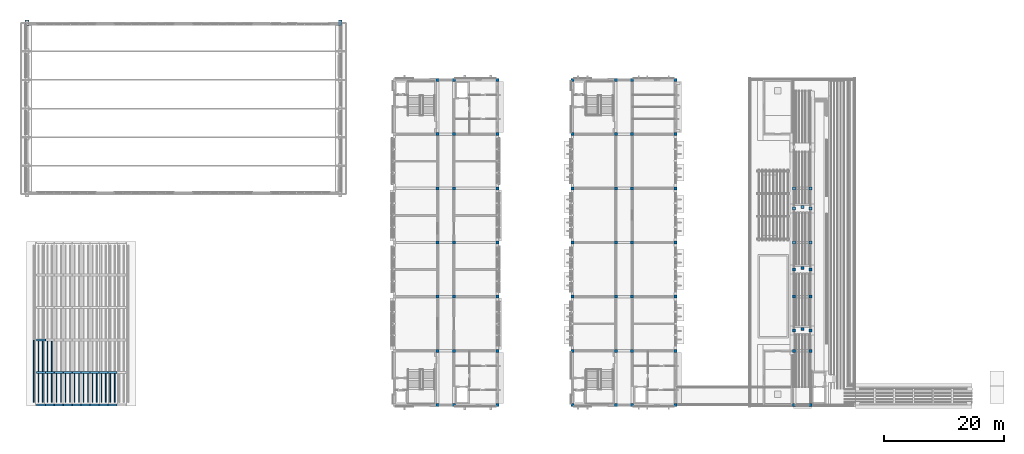
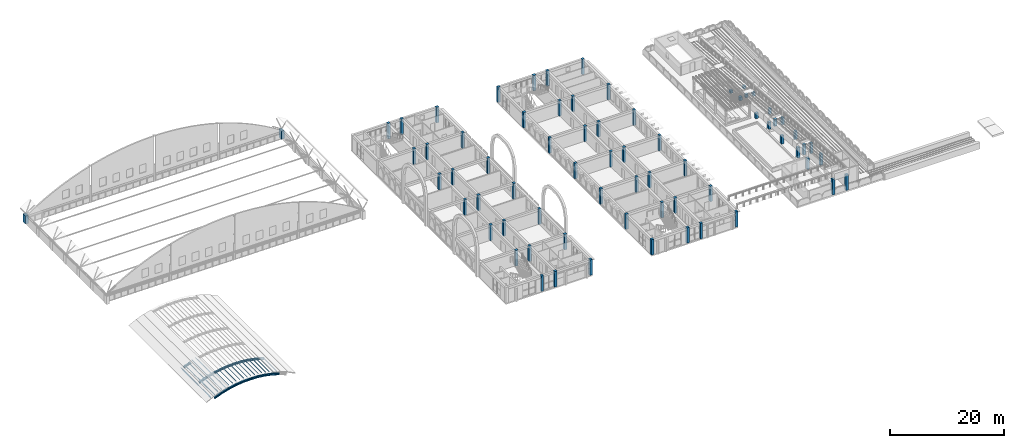
# One storey, part 4 of 65: 70 columns, 43 members.
"""IFC4 building model written with IfcOpenShell, lengths in metres."""

from ifc_helpers import new_model, si_unit, direction, frame, origin, origin_2d, place, context, subcontext, project, spatial, rectangle, hollow_rectangle, i_section, extrude, material, material_profile, profile_set, type_object, element, save


model = new_model("IFC4")

# Units and contexts
model_context = context("Model", 3, precision=1e-05, world=origin(), true_north=direction((0.0, 1.0)))
body_context = subcontext(model_context, "Body", "Model", "MODEL_VIEW")
ifc_project = project(units=[si_unit("LENGTHUNIT", "METRE"), si_unit("AREAUNIT", "SQUARE_METRE"), si_unit("VOLUMEUNIT", "CUBIC_METRE"), si_unit("PLANEANGLEUNIT", "RADIAN"), si_unit("MASSUNIT", "GRAM", prefix="KILO")], contexts=[model_context])

# Site, building, storey
site_placement = place(None, origin())
site = spatial("IfcSite", under=ifc_project, at=site_placement, CompositionType="ELEMENT")
building_placement = place(site_placement, origin())
building = spatial("IfcBuilding", under=site, at=building_placement, Name="Elbe Cascade School", CompositionType="ELEMENT")
storey_placement = place(building_placement, frame((0.0, 0.0, 11.699951171875)))
storey = spatial("IfcBuildingStorey", under=building, at=storey_placement, Name="L03", CompositionType="ELEMENT", Elevation=11.699951171875)

# Columns
ifc_material_1 = material(Name="Concrete C30/37", Category="concrete")
ifc_material_profile_1 = material_profile(ifc_material_1, rectangle(XDim=0.60009765625, YDim=0.89990234375, at=origin_2d()), Name="RC 600x900")
ifc_profile_set_1 = profile_set([ifc_material_profile_1], Name="Concrete C30/37")
column_type_1 = type_object("IfcColumnType", Name="Hall pilaster RC 600x900", PredefinedType="COLUMN", material=ifc_profile_set_1)
for number, where, z_axis, x_axis, name in (
    (1, (8.0, 69.5, 0.0), (0.0, 0.0, 1.0), (1.0, 0.0, 0.0), "Pilaster W7"),
    (2, (60.0, 69.5, 0.0), (0.0, 0.0, 1.0), (1.0, 0.0, 0.0), "Pilaster E7"),
):
    element("IfcColumn", number, at=place(storey_placement, frame(where, z_axis=z_axis, x_axis=x_axis)), inside=storey, type_object=column_type_1, Name=name, PredefinedType="COLUMN", context=body_context, shape_type="SweptSolid", body=[
        extrude(rectangle(XDim=0.60009765625, YDim=0.89990234375, at=origin_2d()), origin(), (0.0, 0.0, 1.0), 1.75),
    ])
ifc_material_2 = material(Name="Concrete C30/37", Category="concrete")
ifc_material_profile_2 = material_profile(ifc_material_2, rectangle(XDim=0.5, YDim=0.5, at=origin_2d()), Name="RC 500x500")
ifc_profile_set_2 = profile_set([ifc_material_profile_2], Name="Concrete C30/37")
column_type_2 = type_object("IfcColumnType", Name="RC 500x500 column", PredefinedType="COLUMN", material=ifc_profile_set_2)
for number, where, z_axis, x_axis, name in (
    (3, (76.199951171875, 6.0, 0.0), (0.0, 0.0, 1.0), (1.0, 0.0, 0.0), "RC 500x500 column C1"),
    (4, (76.199951171875, 15.0, 0.0), (0.0, 0.0, 1.0), (1.0, 0.0, 0.0), "RC 500x500 column C1"),
    (5, (76.199951171875, 24.0, 0.0), (0.0, 0.0, 1.0), (1.0, 0.0, 0.0), "RC 500x500 column C1"),
    (6, (76.199951171875, 33.0, 0.0), (0.0, 0.0, 1.0), (1.0, 0.0, 0.0), "RC 500x500 column C1"),
    (7, (76.199951171875, 42.0, 0.0), (0.0, 0.0, 1.0), (1.0, 0.0, 0.0), "RC 500x500 column C1"),
    (8, (76.199951171875, 51.0, 0.0), (0.0, 0.0, 1.0), (1.0, 0.0, 0.0), "RC 500x500 column C1"),
    (9, (76.199951171875, 60.0, 0.0), (0.0, 0.0, 1.0), (1.0, 0.0, 0.0), "RC 500x500 column C1"),
    (10, (78.89990234375, 6.0, 0.0), (0.0, 0.0, 1.0), (1.0, 0.0, 0.0), "RC 500x500 column C1"),
    (11, (78.89990234375, 15.0, 0.0), (0.0, 0.0, 1.0), (1.0, 0.0, 0.0), "RC 500x500 column C1"),
    (12, (78.89990234375, 24.0, 0.0), (0.0, 0.0, 1.0), (1.0, 0.0, 0.0), "RC 500x500 column C1"),
    (13, (78.89990234375, 33.0, 0.0), (0.0, 0.0, 1.0), (1.0, 0.0, 0.0), "RC 500x500 column C1"),
    (14, (78.89990234375, 42.0, 0.0), (0.0, 0.0, 1.0), (1.0, 0.0, 0.0), "RC 500x500 column C1"),
    (15, (78.89990234375, 51.0, 0.0), (0.0, 0.0, 1.0), (1.0, 0.0, 0.0), "RC 500x500 column C1"),
    (16, (78.89990234375, 60.0, 0.0), (0.0, 0.0, 1.0), (1.0, 0.0, 0.0), "RC 500x500 column C1"),
    (17, (86.10009765625, 6.0, 0.0), (0.0, 0.0, 1.0), (1.0, 0.0, 0.0), "RC 500x500 column C1"),
    (18, (86.10009765625, 15.0, 0.0), (0.0, 0.0, 1.0), (1.0, 0.0, 0.0), "RC 500x500 column C1"),
    (19, (86.10009765625, 24.0, 0.0), (0.0, 0.0, 1.0), (1.0, 0.0, 0.0), "RC 500x500 column C1"),
    (20, (86.10009765625, 33.0, 0.0), (0.0, 0.0, 1.0), (1.0, 0.0, 0.0), "RC 500x500 column C1"),
    (21, (86.10009765625, 42.0, 0.0), (0.0, 0.0, 1.0), (1.0, 0.0, 0.0), "RC 500x500 column C1"),
    (22, (86.10009765625, 51.0, 0.0), (0.0, 0.0, 1.0), (1.0, 0.0, 0.0), "RC 500x500 column C1"),
    (23, (86.10009765625, 60.0, 0.0), (0.0, 0.0, 1.0), (1.0, 0.0, 0.0), "RC 500x500 column C1"),
):
    element("IfcColumn", number, at=place(storey_placement, frame(where, z_axis=z_axis, x_axis=x_axis)), inside=storey, type_object=column_type_2, Name=name, PredefinedType="COLUMN", context=body_context, shape_type="SweptSolid", body=[
        extrude(rectangle(XDim=0.5, YDim=0.5, at=origin_2d()), origin(), (0.0, 0.0, 1.0), 3.35009765625),
    ])
for number, where, z_axis, x_axis, name in (
    (24, (98.60009765625, 6.0, 0.0), (0.0, 0.0, 1.0), (1.0, 0.0, 0.0), "RC 500x500 column C1"),
    (25, (98.60009765625, 15.0, 0.0), (0.0, 0.0, 1.0), (1.0, 0.0, 0.0), "RC 500x500 column C1"),
    (26, (98.60009765625, 24.0, 0.0), (0.0, 0.0, 1.0), (1.0, 0.0, 0.0), "RC 500x500 column C1"),
    (27, (98.60009765625, 33.0, 0.0), (0.0, 0.0, 1.0), (1.0, 0.0, 0.0), "RC 500x500 column C1"),
    (28, (98.60009765625, 42.0, 0.0), (0.0, 0.0, 1.0), (1.0, 0.0, 0.0), "RC 500x500 column C1"),
    (29, (98.60009765625, 51.0, 0.0), (0.0, 0.0, 1.0), (1.0, 0.0, 0.0), "RC 500x500 column C1"),
    (30, (98.60009765625, 60.0, 0.0), (0.0, 0.0, 1.0), (1.0, 0.0, 0.0), "RC 500x500 column C1"),
    (31, (105.800048828125, 6.0, 0.0), (0.0, 0.0, 1.0), (1.0, 0.0, 0.0), "RC 500x500 column C1"),
    (32, (105.800048828125, 15.0, 0.0), (0.0, 0.0, 1.0), (1.0, 0.0, 0.0), "RC 500x500 column C1"),
    (33, (105.800048828125, 24.0, 0.0), (0.0, 0.0, 1.0), (1.0, 0.0, 0.0), "RC 500x500 column C1"),
    (34, (105.800048828125, 33.0, 0.0), (0.0, 0.0, 1.0), (1.0, 0.0, 0.0), "RC 500x500 column C1"),
    (35, (105.800048828125, 42.0, 0.0), (0.0, 0.0, 1.0), (1.0, 0.0, 0.0), "RC 500x500 column C1"),
    (36, (105.800048828125, 51.0, 0.0), (0.0, 0.0, 1.0), (1.0, 0.0, 0.0), "RC 500x500 column C1"),
    (37, (105.800048828125, 60.0, 0.0), (0.0, 0.0, 1.0), (1.0, 0.0, 0.0), "RC 500x500 column C1"),
    (38, (108.5, 6.0, 0.0), (0.0, 0.0, 1.0), (1.0, 0.0, 0.0), "RC 500x500 column C1"),
    (39, (108.5, 15.0, 0.0), (0.0, 0.0, 1.0), (1.0, 0.0, 0.0), "RC 500x500 column C1"),
    (40, (108.5, 24.0, 0.0), (0.0, 0.0, 1.0), (1.0, 0.0, 0.0), "RC 500x500 column C1"),
    (41, (108.5, 33.0, 0.0), (0.0, 0.0, 1.0), (1.0, 0.0, 0.0), "RC 500x500 column C1"),
    (42, (108.5, 42.0, 0.0), (0.0, 0.0, 1.0), (1.0, 0.0, 0.0), "RC 500x500 column C1"),
    (43, (108.5, 51.0, 0.0), (0.0, 0.0, 1.0), (1.0, 0.0, 0.0), "RC 500x500 column C1"),
    (44, (108.5, 60.0, 0.0), (0.0, 0.0, 1.0), (1.0, 0.0, 0.0), "RC 500x500 column C1"),
    (45, (115.699951171875, 6.0, 0.0), (0.0, 0.0, 1.0), (1.0, 0.0, 0.0), "RC 500x500 column C1"),
    (46, (115.699951171875, 15.0, 0.0), (0.0, 0.0, 1.0), (1.0, 0.0, 0.0), "RC 500x500 column C1"),
    (47, (115.699951171875, 24.0, 0.0), (0.0, 0.0, 1.0), (1.0, 0.0, 0.0), "RC 500x500 column C1"),
    (48, (115.699951171875, 33.0, 0.0), (0.0, 0.0, 1.0), (1.0, 0.0, 0.0), "RC 500x500 column C1"),
    (49, (115.699951171875, 42.0, 0.0), (0.0, 0.0, 1.0), (1.0, 0.0, 0.0), "RC 500x500 column C1"),
    (50, (115.699951171875, 51.0, 0.0), (0.0, 0.0, 1.0), (1.0, 0.0, 0.0), "RC 500x500 column C1"),
    (51, (115.699951171875, 60.0, 0.0), (0.0, 0.0, 1.0), (1.0, 0.0, 0.0), "RC 500x500 column C1"),
):
    element("IfcColumn", number, at=place(storey_placement, frame(where, z_axis=z_axis, x_axis=x_axis)), inside=storey, type_object=column_type_2, Name=name, PredefinedType="COLUMN", context=body_context, shape_type="SweptSolid", body=[
        extrude(rectangle(XDim=0.5, YDim=0.5, at=origin_2d()), origin(), (0.0, 0.0, 1.0), 3.300048828125),
    ])
for number, where, z_axis, x_axis, name in (
    (52, (135.39990234375, 6.0, 0.0), (0.0, 0.0, 1.0), (1.0, 0.0, 0.0), "RC 500x500 column C1"),
    (53, (138.10009765625, 6.0, 0.0), (0.0, 0.0, 1.0), (1.0, 0.0, 0.0), "RC 500x500 column C1"),
):
    element("IfcColumn", number, at=place(storey_placement, frame(where, z_axis=z_axis, x_axis=x_axis)), inside=storey, type_object=column_type_2, Name=name, PredefinedType="COLUMN", context=body_context, shape_type="SweptSolid", body=[
        extrude(rectangle(XDim=0.5, YDim=0.5, at=origin_2d()), origin(), (0.0, 0.0, 1.0), 3.360107421875),
    ])
for number, where, z_axis, x_axis, name in (
    (54, (135.39990234375, 15.0, 0.0), (0.0, 0.0, 1.0), (1.0, 0.0, 0.0), "RC 500x500 column C1"),
    (55, (138.10009765625, 15.0, 0.0), (0.0, 0.0, 1.0), (1.0, 0.0, 0.0), "RC 500x500 column C1"),
):
    element("IfcColumn", number, at=place(storey_placement, frame(where, z_axis=z_axis, x_axis=x_axis)), inside=storey, type_object=column_type_2, Name=name, PredefinedType="COLUMN", context=body_context, shape_type="SweptSolid", body=[
        extrude(rectangle(XDim=0.5, YDim=0.5, at=origin_2d()), origin(), (0.0, 0.0, 1.0), 2.41015625),
    ])
for number, where, z_axis, x_axis, name in (
    (56, (135.39990234375, 24.0, 0.0), (0.0, 0.0, 1.0), (1.0, 0.0, 0.0), "RC 500x500 column C1"),
    (57, (138.10009765625, 24.0, 0.0), (0.0, 0.0, 1.0), (1.0, 0.0, 0.0), "RC 500x500 column C1"),
):
    element("IfcColumn", number, at=place(storey_placement, frame(where, z_axis=z_axis, x_axis=x_axis)), inside=storey, type_object=column_type_2, Name=name, PredefinedType="COLUMN", context=body_context, shape_type="SweptSolid", body=[
        extrude(rectangle(XDim=0.5, YDim=0.5, at=origin_2d()), origin(), (0.0, 0.0, 1.0), 1.78515625),
    ])
for number, where, z_axis, x_axis, name in (
    (58, (135.39990234375, 33.0, 0.0), (0.0, 0.0, 1.0), (1.0, 0.0, 0.0), "RC 500x500 column C1"),
    (59, (138.10009765625, 33.0, 0.0), (0.0, 0.0, 1.0), (1.0, 0.0, 0.0), "RC 500x500 column C1"),
):
    element("IfcColumn", number, at=place(storey_placement, frame(where, z_axis=z_axis, x_axis=x_axis)), inside=storey, type_object=column_type_2, Name=name, PredefinedType="COLUMN", context=body_context, shape_type="SweptSolid", body=[
        extrude(rectangle(XDim=0.5, YDim=0.5, at=origin_2d()), origin(), (0.0, 0.0, 1.0), 1.16015625),
    ])
for number, where, z_axis, x_axis, name in (
    (60, (135.39990234375, 42.0, 0.0), (0.0, 0.0, 1.0), (1.0, 0.0, 0.0), "RC 500x500 column C1"),
    (61, (138.10009765625, 42.0, 0.0), (0.0, 0.0, 1.0), (1.0, 0.0, 0.0), "RC 500x500 column C1"),
):
    element("IfcColumn", number, at=place(storey_placement, frame(where, z_axis=z_axis, x_axis=x_axis)), inside=storey, type_object=column_type_2, Name=name, PredefinedType="COLUMN", context=body_context, shape_type="SweptSolid", body=[
        extrude(rectangle(XDim=0.5, YDim=0.5, at=origin_2d()), origin(), (0.0, 0.0, 1.0), 0.53515625),
    ])
for number, where, z_axis, x_axis, name in (
    (62, (135.39990234375, 18.389892578125, 0.449951171875), (0.0, 0.0, 1.0), (1.0, 0.0, 0.0), "RC 500x500 column C1"),
    (63, (138.10009765625, 18.389892578125, 0.449951171875), (0.0, 0.0, 1.0), (1.0, 0.0, 0.0), "RC 500x500 column C1"),
    (64, (136.75, 18.639892578125, 0.449951171875), (0.0, 0.0, 1.0), (1.0, 0.0, 0.0), "RC 500x500 column C1"),
):
    element("IfcColumn", number, at=place(storey_placement, frame(where, z_axis=z_axis, x_axis=x_axis)), inside=storey, type_object=column_type_2, Name=name, PredefinedType="COLUMN", context=body_context, shape_type="SweptSolid", body=[
        extrude(rectangle(XDim=0.5, YDim=0.5, at=origin_2d()), origin(), (0.0, 0.0, 1.0), 2.190185546875),
    ])
for number, where, z_axis, x_axis, name in (
    (65, (135.39990234375, 28.530029296875, 0.449951171875), (0.0, 0.0, 1.0), (1.0, 0.0, 0.0), "RC 500x500 column C1"),
    (66, (138.10009765625, 28.530029296875, 0.449951171875), (0.0, 0.0, 1.0), (1.0, 0.0, 0.0), "RC 500x500 column C1"),
    (67, (136.75, 28.780029296875, 0.449951171875), (0.0, 0.0, 1.0), (1.0, 0.0, 0.0), "RC 500x500 column C1"),
):
    element("IfcColumn", number, at=place(storey_placement, frame(where, z_axis=z_axis, x_axis=x_axis)), inside=storey, type_object=column_type_2, Name=name, PredefinedType="COLUMN", context=body_context, shape_type="SweptSolid", body=[
        extrude(rectangle(XDim=0.5, YDim=0.5, at=origin_2d()), origin(), (0.0, 0.0, 1.0), 1.47021484375),
    ])
for number, where, z_axis, x_axis, name in (
    (68, (135.39990234375, 38.669921875, 0.449951171875), (0.0, 0.0, 1.0), (1.0, 0.0, 0.0), "RC 500x500 column C1"),
    (69, (138.10009765625, 38.669921875, 0.449951171875), (0.0, 0.0, 1.0), (1.0, 0.0, 0.0), "RC 500x500 column C1"),
    (70, (136.75, 38.919921875, 0.449951171875), (0.0, 0.0, 1.0), (1.0, 0.0, 0.0), "RC 500x500 column C1"),
):
    element("IfcColumn", number, at=place(storey_placement, frame(where, z_axis=z_axis, x_axis=x_axis)), inside=storey, type_object=column_type_2, Name=name, PredefinedType="COLUMN", context=body_context, shape_type="SweptSolid", body=[
        extrude(rectangle(XDim=0.5, YDim=0.5, at=origin_2d()), origin(), (0.0, 0.0, 1.0), 0.75),
    ])

# Members
ifc_material_3 = material(Name="Steel S355J2H", Category="steel")
ifc_material_profile_3 = material_profile(ifc_material_3, hollow_rectangle(XDim=0.10009765625, YDim=0.14990234375, WallThickness=0.008056640625, InnerFilletRadius=0.008056640625, OuterFilletRadius=0.011962890625, at=origin_2d()), Name="RHS 150x100x8")
ifc_profile_set_3 = profile_set([ifc_material_profile_3], Name="Steel S355J2H")
member_type_1 = type_object("IfcMemberType", Name="Assembly hall vault purlin RHS 150x100x8", PredefinedType="PURLIN", material=ifc_profile_set_3)
member_1_placement = place(storey_placement, frame((9.1552734375, 6.449951171875, 0.316650390625), z_axis=(0.0, 1.0, 0.0), x_axis=(-0.896138941153, 0.0, -0.443773588837)))
element("IfcMember", 71, at=member_1_placement, inside=storey, type_object=member_type_1, Name="Assembly hall vault purlin RHS 150x100x8 M12", PredefinedType="PURLIN", context=body_context, shape_type="SweptSolid", body=[
    extrude(hollow_rectangle(XDim=0.10009765625, YDim=0.14990234375, WallThickness=0.008056640625, InnerFilletRadius=0.008056640625, OuterFilletRadius=0.011962890625, at=origin_2d()), origin(), (0.0, 0.0, 1.0), 4.949951171875),
])
member_2_placement = place(storey_placement, frame((9.1552734375, 11.39990234375, 0.316650390625), z_axis=(0.0, 1.0, 0.0), x_axis=(-0.896138941153, 0.0, -0.443773588837)))
element("IfcMember", 72, at=member_2_placement, inside=storey, type_object=member_type_1, Name="Assembly hall vault purlin RHS 150x100x8 M12", PredefinedType="PURLIN", context=body_context, shape_type="SweptSolid", body=[
    extrude(hollow_rectangle(XDim=0.10009765625, YDim=0.14990234375, WallThickness=0.008056640625, InnerFilletRadius=0.008056640625, OuterFilletRadius=0.011962890625, at=origin_2d()), origin(), (0.0, 0.0, 1.0), 5.400146484375),
])
member_3_placement = place(storey_placement, frame((9.9130859375, 6.449951171875, 0.65185546875), z_axis=(0.0, 1.0, 0.0), x_axis=(-0.931759682277, 0.0, -0.363075604362)))
element("IfcMember", 73, at=member_3_placement, inside=storey, type_object=member_type_1, Name="Assembly hall vault purlin RHS 150x100x8 M12", PredefinedType="PURLIN", context=body_context, shape_type="SweptSolid", body=[
    extrude(hollow_rectangle(XDim=0.10009765625, YDim=0.14990234375, WallThickness=0.008056640625, InnerFilletRadius=0.008056640625, OuterFilletRadius=0.011962890625, at=origin_2d()), origin(), (0.0, 0.0, 1.0), 4.949951171875),
])
member_4_placement = place(storey_placement, frame((9.9130859375, 11.39990234375, 0.65185546875), z_axis=(0.0, 1.0, 0.0), x_axis=(-0.931759682277, 0.0, -0.363075604362)))
element("IfcMember", 74, at=member_4_placement, inside=storey, type_object=member_type_1, Name="Assembly hall vault purlin RHS 150x100x8 M12", PredefinedType="PURLIN", context=body_context, shape_type="SweptSolid", body=[
    extrude(hollow_rectangle(XDim=0.10009765625, YDim=0.14990234375, WallThickness=0.008056640625, InnerFilletRadius=0.008056640625, OuterFilletRadius=0.011962890625, at=origin_2d()), origin(), (0.0, 0.0, 1.0), 5.400146484375),
])
member_5_placement = place(storey_placement, frame((10.6484375, 6.449951171875, 0.9384765625), z_axis=(0.0, 1.0, 0.0), x_axis=(-0.931759682277, 0.0, -0.363075604362)))
element("IfcMember", 75, at=member_5_placement, inside=storey, type_object=member_type_1, Name="Assembly hall vault purlin RHS 150x100x8 M12", PredefinedType="PURLIN", context=body_context, shape_type="SweptSolid", body=[
    extrude(hollow_rectangle(XDim=0.10009765625, YDim=0.14990234375, WallThickness=0.008056640625, InnerFilletRadius=0.008056640625, OuterFilletRadius=0.011962890625, at=origin_2d()), origin(), (0.0, 0.0, 1.0), 4.949951171875),
])
member_6_placement = place(storey_placement, frame((10.6484375, 11.39990234375, 0.9384765625), z_axis=(0.0, 1.0, 0.0), x_axis=(-0.931759682277, 0.0, -0.363075604362)))
element("IfcMember", 76, at=member_6_placement, inside=storey, type_object=member_type_1, Name="Assembly hall vault purlin RHS 150x100x8 M12", PredefinedType="PURLIN", context=body_context, shape_type="SweptSolid", body=[
    extrude(hollow_rectangle(XDim=0.10009765625, YDim=0.14990234375, WallThickness=0.008056640625, InnerFilletRadius=0.008056640625, OuterFilletRadius=0.011962890625, at=origin_2d()), origin(), (0.0, 0.0, 1.0), 5.400146484375),
])
member_7_placement = place(storey_placement, frame((11.40625, 6.449951171875, 1.197509765625), z_axis=(0.0, 1.0, 0.0), x_axis=(-0.959320873157, 0.0, -0.282318016296)))
element("IfcMember", 77, at=member_7_placement, inside=storey, type_object=member_type_1, Name="Assembly hall vault purlin RHS 150x100x8 M12", PredefinedType="PURLIN", context=body_context, shape_type="SweptSolid", body=[
    extrude(hollow_rectangle(XDim=0.10009765625, YDim=0.14990234375, WallThickness=0.008056640625, InnerFilletRadius=0.008056640625, OuterFilletRadius=0.011962890625, at=origin_2d()), origin(), (0.0, 0.0, 1.0), 4.949951171875),
])
member_8_placement = place(storey_placement, frame((11.40625, 11.39990234375, 1.197509765625), z_axis=(0.0, 1.0, 0.0), x_axis=(-0.959320873157, 0.0, -0.282318016296)))
element("IfcMember", 78, at=member_8_placement, inside=storey, type_object=member_type_1, Name="Assembly hall vault purlin RHS 150x100x8 M12", PredefinedType="PURLIN", context=body_context, shape_type="SweptSolid", body=[
    extrude(hollow_rectangle(XDim=0.10009765625, YDim=0.14990234375, WallThickness=0.008056640625, InnerFilletRadius=0.008056640625, OuterFilletRadius=0.011962890625, at=origin_2d()), origin(), (0.0, 0.0, 1.0), 5.400146484375),
])
member_9_placement = place(storey_placement, frame((12.1416015625, 6.449951171875, 1.4140625), z_axis=(0.0, 1.0, 0.0), x_axis=(-0.959320873157, 0.0, -0.282318016296)))
element("IfcMember", 79, at=member_9_placement, inside=storey, type_object=member_type_1, Name="Assembly hall vault purlin RHS 150x100x8 M12", PredefinedType="PURLIN", context=body_context, shape_type="SweptSolid", body=[
    extrude(hollow_rectangle(XDim=0.10009765625, YDim=0.14990234375, WallThickness=0.008056640625, InnerFilletRadius=0.008056640625, OuterFilletRadius=0.011962890625, at=origin_2d()), origin(), (0.0, 0.0, 1.0), 4.949951171875),
])
member_10_placement = place(storey_placement, frame((12.1416015625, 11.39990234375, 1.4140625), z_axis=(0.0, 1.0, 0.0), x_axis=(-0.959320873157, 0.0, -0.282318016296)))
element("IfcMember", 80, at=member_10_placement, inside=storey, type_object=member_type_1, Name="Assembly hall vault purlin RHS 150x100x8 M12", PredefinedType="PURLIN", context=body_context, shape_type="SweptSolid", body=[
    extrude(hollow_rectangle(XDim=0.10009765625, YDim=0.14990234375, WallThickness=0.008056640625, InnerFilletRadius=0.008056640625, OuterFilletRadius=0.011962890625, at=origin_2d()), origin(), (0.0, 0.0, 1.0), 5.400146484375),
])
for number, where, z_axis, x_axis, name in (
    (81, (12.8994140625, 6.449951171875, 1.603515625), (0.0, 1.0, 0.0), (-0.979450827338, 0.0, -0.201683109922), "Assembly hall vault purlin RHS 150x100x8 M12"),
    (82, (13.635009765625, 6.449951171875, 1.7548828125), (0.0, 1.0, 0.0), (-0.979450827338, 0.0, -0.201683109922), "Assembly hall vault purlin RHS 150x100x8 M12"),
    (83, (14.392578125, 6.449951171875, 1.879150390625), (0.0, 1.0, 0.0), (-0.992652124759, 0.0, -0.121003137194), "Assembly hall vault purlin RHS 150x100x8 M12"),
    (84, (15.1279296875, 6.449951171875, 1.96875), (0.0, 1.0, 0.0), (-0.992652124759, 0.0, -0.121003137194), "Assembly hall vault purlin RHS 150x100x8 M12"),
    (85, (15.890380859375, 6.449951171875, 2.024169921875), (0.0, 1.0, 0.0), (-0.999726690182, 0.0, -0.023378300587), "Assembly hall vault purlin RHS 150x100x8 M12"),
    (86, (16.625732421875, 6.449951171875, 2.041259765625), (0.0, 1.0, 0.0), (-0.999726690182, 0.0, -0.023378300587), "Assembly hall vault purlin RHS 150x100x8 M12"),
    (87, (17.374267578125, 6.449951171875, 2.041259765625), (0.0, 1.0, 0.0), (-0.999726690182, 0.0, 0.023378300587), "Assembly hall vault purlin RHS 150x100x8 M12"),
    (88, (18.109619140625, 6.449951171875, 2.024169921875), (0.0, 1.0, 0.0), (-0.999726690182, 0.0, 0.023378300587), "Assembly hall vault purlin RHS 150x100x8 M12"),
    (89, (18.8720703125, 6.449951171875, 1.96875), (0.0, 1.0, 0.0), (-0.992653180673, 0.0, 0.120994474666), "Assembly hall vault purlin RHS 150x100x8 M12"),
    (90, (19.607421875, 6.449951171875, 1.879150390625), (0.0, 1.0, 0.0), (-0.992653180673, 0.0, 0.120994474666), "Assembly hall vault purlin RHS 150x100x8 M12"),
    (91, (20.365234375, 6.449951171875, 1.7548828125), (0.0, 1.0, 0.0), (-0.979448011215, 0.0, 0.201696785616), "Assembly hall vault purlin RHS 150x100x8 M12"),
    (92, (21.1005859375, 6.449951171875, 1.603515625), (0.0, 1.0, 0.0), (-0.979448011215, 0.0, 0.201696785616), "Assembly hall vault purlin RHS 150x100x8 M12"),
    (93, (21.8583984375, 6.449951171875, 1.4140625), (0.0, 1.0, 0.0), (-0.959320873157, 0.0, 0.282318016296), "Assembly hall vault purlin RHS 150x100x8 M12"),
    (94, (22.59375, 6.449951171875, 1.197509765625), (0.0, 1.0, 0.0), (-0.959320873157, 0.0, 0.282318016296), "Assembly hall vault purlin RHS 150x100x8 M12"),
):
    element("IfcMember", number, at=place(storey_placement, frame(where, z_axis=z_axis, x_axis=x_axis)), inside=storey, type_object=member_type_1, Name=name, PredefinedType="PURLIN", context=body_context, shape_type="SweptSolid", body=[
        extrude(hollow_rectangle(XDim=0.10009765625, YDim=0.14990234375, WallThickness=0.008056640625, InnerFilletRadius=0.008056640625, OuterFilletRadius=0.011962890625, at=origin_2d()), origin(), (0.0, 0.0, 1.0), 4.949951171875),
    ])
ifc_material_4 = material(Name="Steel S355J2", Category="steel")
ifc_material_profile_4 = material_profile(ifc_material_4, i_section(OverallWidth=0.300048828125, OverallDepth=0.39990234375, WebThickness=0.013427734375, FlangeThickness=0.02392578125, FilletRadius=0.027099609375, at=origin_2d()), Name="HEB 400")
ifc_profile_set_4 = profile_set([ifc_material_profile_4], Name="Steel S355J2")
member_type_2 = type_object("IfcMemberType", Name="Assembly hall vault rib HEB 400", PredefinedType="RAFTER", material=ifc_profile_set_4)
member_11_placement = place(storey_placement, frame((9.64501953125, 6.0, 0.25244140625), z_axis=(0.931818823681, 0.0, 0.362923793425), x_axis=(0.0, 1.0, 0.0)))
element("IfcMember", 95, at=member_11_placement, inside=storey, type_object=member_type_2, Name="Assembly hall vault rib HEB 400 M11", PredefinedType="RAFTER", context=body_context, shape_type="SweptSolid", body=[
    extrude(i_section(OverallWidth=0.300048828125, OverallDepth=0.39990234375, WebThickness=0.013427734375, FlangeThickness=0.02392578125, FilletRadius=0.027099609375, at=origin_2d()), origin(), (0.0, 0.0, 1.0), 1.578857421875),
])
member_12_placement = place(storey_placement, frame((11.1162109375, 6.0, 0.825439453125), z_axis=(0.95928179447, 0.0, 0.282450772347), x_axis=(0.0, 1.0, 0.0)))
element("IfcMember", 96, at=member_12_placement, inside=storey, type_object=member_type_2, Name="Assembly hall vault rib HEB 400 M11", PredefinedType="RAFTER", context=body_context, shape_type="SweptSolid", body=[
    extrude(i_section(OverallWidth=0.300048828125, OverallDepth=0.39990234375, WebThickness=0.013427734375, FlangeThickness=0.02392578125, FilletRadius=0.027099609375, at=origin_2d()), origin(), (0.0, 0.0, 1.0), 1.533447265625),
])
member_13_placement = place(storey_placement, frame((12.587158203125, 6.0, 1.258544921875), z_axis=(0.979471206502, 0.0, 0.201584115529), x_axis=(0.0, 1.0, 0.0)))
element("IfcMember", 97, at=member_13_placement, inside=storey, type_object=member_type_2, Name="Assembly hall vault rib HEB 400 M11", PredefinedType="RAFTER", context=body_context, shape_type="SweptSolid", body=[
    extrude(i_section(OverallWidth=0.300048828125, OverallDepth=0.39990234375, WebThickness=0.013427734375, FlangeThickness=0.02392578125, FilletRadius=0.027099609375, at=origin_2d()), origin(), (0.0, 0.0, 1.0), 1.501708984375),
])
member_14_placement = place(storey_placement, frame((14.05810546875, 6.0, 1.561279296875), z_axis=(0.992641048106, 0.0, 0.121093970184), x_axis=(0.0, 1.0, 0.0)))
element("IfcMember", 98, at=member_14_placement, inside=storey, type_object=member_type_2, Name="Assembly hall vault rib HEB 400 M11", PredefinedType="RAFTER", context=body_context, shape_type="SweptSolid", body=[
    extrude(i_section(OverallWidth=0.300048828125, OverallDepth=0.39990234375, WebThickness=0.013427734375, FlangeThickness=0.02392578125, FilletRadius=0.027099609375, at=origin_2d()), origin(), (0.0, 0.0, 1.0), 1.48193359375),
])
for number, where, z_axis, x_axis, name in (
    (99, (15.529052734375, 6.0, 1.74072265625), (0.999726274169, 0.0, 0.023396083761), (0.0, 1.0, 0.0), "Assembly hall vault rib HEB 400 M11"),
    (100, (17.0, 6.0, 1.775146484375), (0.999726274169, 0.0, -0.023396083761), (0.0, 1.0, 0.0), "Assembly hall vault rib HEB 400 M11"),
):
    element("IfcMember", number, at=place(storey_placement, frame(where, z_axis=z_axis, x_axis=x_axis)), inside=storey, type_object=member_type_2, Name=name, PredefinedType="RAFTER", context=body_context, shape_type="SweptSolid", body=[
        extrude(i_section(OverallWidth=0.300048828125, OverallDepth=0.39990234375, WebThickness=0.013427734375, FlangeThickness=0.02392578125, FilletRadius=0.027099609375, at=origin_2d()), origin(), (0.0, 0.0, 1.0), 1.471435546875),
    ])
member_15_placement = place(storey_placement, frame((18.470947265625, 6.0, 1.74072265625), z_axis=(0.992641048106, 0.0, -0.121093970184), x_axis=(0.0, 1.0, 0.0)))
element("IfcMember", 101, at=member_15_placement, inside=storey, type_object=member_type_2, Name="Assembly hall vault rib HEB 400 M11", PredefinedType="RAFTER", context=body_context, shape_type="SweptSolid", body=[
    extrude(i_section(OverallWidth=0.300048828125, OverallDepth=0.39990234375, WebThickness=0.013427734375, FlangeThickness=0.02392578125, FilletRadius=0.027099609375, at=origin_2d()), origin(), (0.0, 0.0, 1.0), 1.48193359375),
])
member_16_placement = place(storey_placement, frame((19.94189453125, 6.0, 1.561279296875), z_axis=(0.979471206502, 0.0, -0.201584115529), x_axis=(0.0, 1.0, 0.0)))
element("IfcMember", 102, at=member_16_placement, inside=storey, type_object=member_type_2, Name="Assembly hall vault rib HEB 400 M11", PredefinedType="RAFTER", context=body_context, shape_type="SweptSolid", body=[
    extrude(i_section(OverallWidth=0.300048828125, OverallDepth=0.39990234375, WebThickness=0.013427734375, FlangeThickness=0.02392578125, FilletRadius=0.027099609375, at=origin_2d()), origin(), (0.0, 0.0, 1.0), 1.501708984375),
])
member_17_placement = place(storey_placement, frame((21.412841796875, 6.0, 1.258544921875), z_axis=(0.95928179447, 0.0, -0.282450772347), x_axis=(0.0, 1.0, 0.0)))
element("IfcMember", 103, at=member_17_placement, inside=storey, type_object=member_type_2, Name="Assembly hall vault rib HEB 400 M11", PredefinedType="RAFTER", context=body_context, shape_type="SweptSolid", body=[
    extrude(i_section(OverallWidth=0.300048828125, OverallDepth=0.39990234375, WebThickness=0.013427734375, FlangeThickness=0.02392578125, FilletRadius=0.027099609375, at=origin_2d()), origin(), (0.0, 0.0, 1.0), 1.533447265625),
])
member_18_placement = place(storey_placement, frame((9.64501953125, 11.39990234375, 0.25244140625), z_axis=(0.931818823681, 0.0, 0.362923793425), x_axis=(0.0, 1.0, 0.0)))
element("IfcMember", 104, at=member_18_placement, inside=storey, type_object=member_type_2, Name="Assembly hall vault rib HEB 400 M11", PredefinedType="RAFTER", context=body_context, shape_type="SweptSolid", body=[
    extrude(i_section(OverallWidth=0.300048828125, OverallDepth=0.39990234375, WebThickness=0.013427734375, FlangeThickness=0.02392578125, FilletRadius=0.027099609375, at=origin_2d()), origin(), (0.0, 0.0, 1.0), 1.578857421875),
])
member_19_placement = place(storey_placement, frame((11.1162109375, 11.39990234375, 0.825439453125), z_axis=(0.95928179447, 0.0, 0.282450772347), x_axis=(0.0, 1.0, 0.0)))
element("IfcMember", 105, at=member_19_placement, inside=storey, type_object=member_type_2, Name="Assembly hall vault rib HEB 400 M11", PredefinedType="RAFTER", context=body_context, shape_type="SweptSolid", body=[
    extrude(i_section(OverallWidth=0.300048828125, OverallDepth=0.39990234375, WebThickness=0.013427734375, FlangeThickness=0.02392578125, FilletRadius=0.027099609375, at=origin_2d()), origin(), (0.0, 0.0, 1.0), 1.533447265625),
])
member_20_placement = place(storey_placement, frame((12.587158203125, 11.39990234375, 1.258544921875), z_axis=(0.979471206502, 0.0, 0.201584115529), x_axis=(0.0, 1.0, 0.0)))
element("IfcMember", 106, at=member_20_placement, inside=storey, type_object=member_type_2, Name="Assembly hall vault rib HEB 400 M11", PredefinedType="RAFTER", context=body_context, shape_type="SweptSolid", body=[
    extrude(i_section(OverallWidth=0.300048828125, OverallDepth=0.39990234375, WebThickness=0.013427734375, FlangeThickness=0.02392578125, FilletRadius=0.027099609375, at=origin_2d()), origin(), (0.0, 0.0, 1.0), 1.501708984375),
])
member_21_placement = place(storey_placement, frame((14.05810546875, 11.39990234375, 1.561279296875), z_axis=(0.992641048106, 0.0, 0.121093970184), x_axis=(0.0, 1.0, 0.0)))
element("IfcMember", 107, at=member_21_placement, inside=storey, type_object=member_type_2, Name="Assembly hall vault rib HEB 400 M11", PredefinedType="RAFTER", context=body_context, shape_type="SweptSolid", body=[
    extrude(i_section(OverallWidth=0.300048828125, OverallDepth=0.39990234375, WebThickness=0.013427734375, FlangeThickness=0.02392578125, FilletRadius=0.027099609375, at=origin_2d()), origin(), (0.0, 0.0, 1.0), 1.48193359375),
])
for number, where, z_axis, x_axis, name in (
    (108, (15.529052734375, 11.39990234375, 1.74072265625), (0.999726274169, 0.0, 0.023396083761), (0.0, 1.0, 0.0), "Assembly hall vault rib HEB 400 M11"),
    (109, (17.0, 11.39990234375, 1.775146484375), (0.999726274169, 0.0, -0.023396083761), (0.0, 1.0, 0.0), "Assembly hall vault rib HEB 400 M11"),
):
    element("IfcMember", number, at=place(storey_placement, frame(where, z_axis=z_axis, x_axis=x_axis)), inside=storey, type_object=member_type_2, Name=name, PredefinedType="RAFTER", context=body_context, shape_type="SweptSolid", body=[
        extrude(i_section(OverallWidth=0.300048828125, OverallDepth=0.39990234375, WebThickness=0.013427734375, FlangeThickness=0.02392578125, FilletRadius=0.027099609375, at=origin_2d()), origin(), (0.0, 0.0, 1.0), 1.471435546875),
    ])
member_22_placement = place(storey_placement, frame((18.470947265625, 11.39990234375, 1.74072265625), z_axis=(0.992641048106, 0.0, -0.121093970184), x_axis=(0.0, 1.0, 0.0)))
element("IfcMember", 110, at=member_22_placement, inside=storey, type_object=member_type_2, Name="Assembly hall vault rib HEB 400 M11", PredefinedType="RAFTER", context=body_context, shape_type="SweptSolid", body=[
    extrude(i_section(OverallWidth=0.300048828125, OverallDepth=0.39990234375, WebThickness=0.013427734375, FlangeThickness=0.02392578125, FilletRadius=0.027099609375, at=origin_2d()), origin(), (0.0, 0.0, 1.0), 1.48193359375),
])
member_23_placement = place(storey_placement, frame((19.94189453125, 11.39990234375, 1.561279296875), z_axis=(0.979471206502, 0.0, -0.201584115529), x_axis=(0.0, 1.0, 0.0)))
element("IfcMember", 111, at=member_23_placement, inside=storey, type_object=member_type_2, Name="Assembly hall vault rib HEB 400 M11", PredefinedType="RAFTER", context=body_context, shape_type="SweptSolid", body=[
    extrude(i_section(OverallWidth=0.300048828125, OverallDepth=0.39990234375, WebThickness=0.013427734375, FlangeThickness=0.02392578125, FilletRadius=0.027099609375, at=origin_2d()), origin(), (0.0, 0.0, 1.0), 1.501708984375),
])
member_24_placement = place(storey_placement, frame((21.412841796875, 11.39990234375, 1.258544921875), z_axis=(0.95928179447, 0.0, -0.282450772347), x_axis=(0.0, 1.0, 0.0)))
element("IfcMember", 112, at=member_24_placement, inside=storey, type_object=member_type_2, Name="Assembly hall vault rib HEB 400 M11", PredefinedType="RAFTER", context=body_context, shape_type="SweptSolid", body=[
    extrude(i_section(OverallWidth=0.300048828125, OverallDepth=0.39990234375, WebThickness=0.013427734375, FlangeThickness=0.02392578125, FilletRadius=0.027099609375, at=origin_2d()), origin(), (0.0, 0.0, 1.0), 1.533447265625),
])
member_25_placement = place(storey_placement, frame((9.64501953125, 16.800048828125, 0.25244140625), z_axis=(0.931818823681, 0.0, 0.362923793425), x_axis=(0.0, 1.0, 0.0)))
element("IfcMember", 113, at=member_25_placement, inside=storey, type_object=member_type_2, Name="Assembly hall vault rib HEB 400 M11", PredefinedType="RAFTER", context=body_context, shape_type="SweptSolid", body=[
    extrude(i_section(OverallWidth=0.300048828125, OverallDepth=0.39990234375, WebThickness=0.013427734375, FlangeThickness=0.02392578125, FilletRadius=0.027099609375, at=origin_2d()), origin(), (0.0, 0.0, 1.0), 1.578857421875),
])

save(model, "model.ifc")
